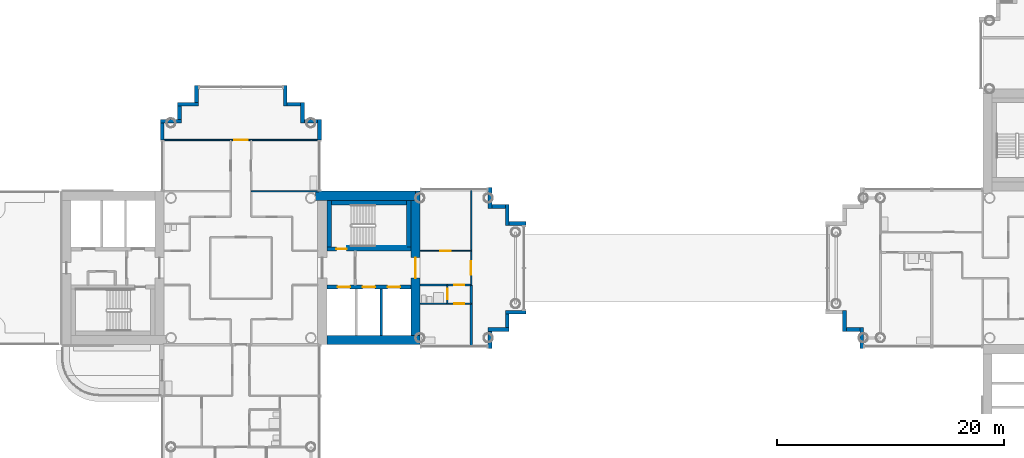
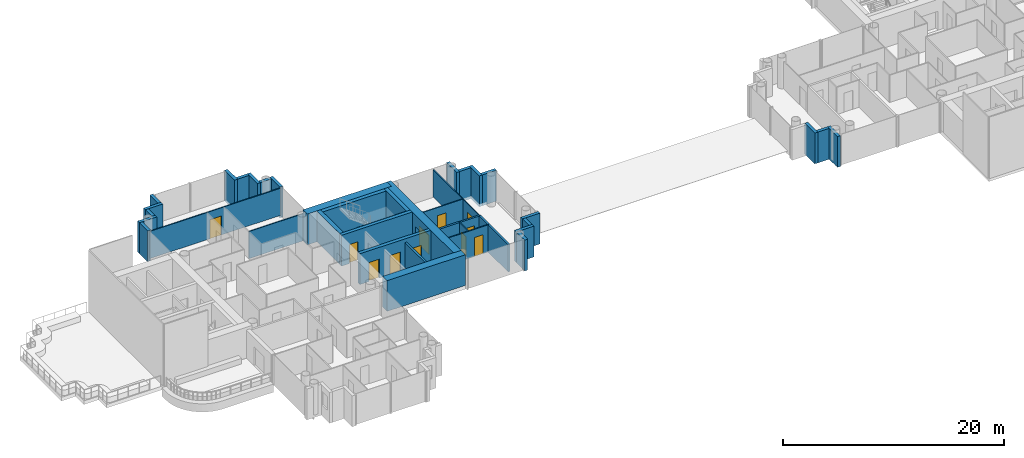
# One storey, part 9 of 19: 39 walls, 11 doors, 11 openings.
"""IFC4 building model written with IfcOpenShell, lengths in metres."""

from ifc_helpers import new_model, si_unit, direction, frame, frame_2d, origin, place, context, subcontext, project, spatial, rectangle, extrude, material, layer, layer_set, type_object, element, fill, save


model = new_model("IFC4")

# Units and contexts
model_context = context("Model", 3, precision=1e-05, world=origin(), true_north=direction((0.0, 1.0)))
body_context = subcontext(model_context, "Body", "Model", "MODEL_VIEW")
ifc_project = project(units=[si_unit("LENGTHUNIT", "METRE"), si_unit("AREAUNIT", "SQUARE_METRE"), si_unit("VOLUMEUNIT", "CUBIC_METRE"), si_unit("PLANEANGLEUNIT", "RADIAN"), si_unit("MASSUNIT", "GRAM", prefix="KILO")], contexts=[model_context])

# Site, building, storey
site_placement = place(None, origin())
site = spatial("IfcSite", under=ifc_project, at=site_placement, CompositionType="ELEMENT")
building_placement = place(site_placement, origin())
building = spatial("IfcBuilding", under=site, at=building_placement, Name="Ipe Terrace Towers", CompositionType="ELEMENT")
storey_placement = place(building_placement, frame((0.0, 0.0, 133.699951171875)))
storey = spatial("IfcBuildingStorey", under=building, at=storey_placement, Name="L36", CompositionType="ELEMENT", Elevation=133.699951171875)

# Walls
ifc_material_1 = material(Name="Concrete C40/50 with buff precast cladding", Category="concrete")
ifc_layer_1 = layer(ifc_material_1, 0.320068359375)
ifc_layer_set_1 = layer_set([ifc_layer_1], Name="BUFF CLADDING WALL 320")
wall_type_1 = type_object("IfcWallType", Name="BUFF CLADDING WALL 320", PredefinedType="STANDARD", material=ifc_layer_set_1)
wall_1_placement = place(storey_placement, frame((-14.090087890625, -7.070068359375, -0.300048828125), z_axis=(0.0, 0.0, 1.0), x_axis=(0.0, 1.0, 0.0)))
element("IfcWall", 1, at=wall_1_placement, inside=storey, type_object=wall_type_1, Name="T1-W-L36-17a wall", PredefinedType="STANDARD", context=body_context, shape_type="SweptSolid", body=[
    extrude(rectangle(XDim=1.5, YDim=0.320068359375, at=frame_2d((0.75, 0.0))), origin(), (0.0, 0.0, 1.0), 3.400146484375),
])
wall_2_placement = place(storey_placement, frame((-14.25, -5.409912109375, -0.300048828125), z_axis=(0.0, 0.0, 1.0), x_axis=(1.0, 0.0, 0.0)))
element("IfcWall", 2, at=wall_2_placement, inside=storey, type_object=wall_type_1, Name="T1-W-L36-18a wall", PredefinedType="STANDARD", context=body_context, shape_type="SweptSolid", body=[
    extrude(rectangle(XDim=1.820068359375, YDim=0.320068359375, at=frame_2d((0.91015625, 0.0))), origin(), (0.0, 0.0, 1.0), 3.400146484375),
])
wall_3_placement = place(storey_placement, frame((-12.590087890625, -5.25, -0.300048828125), z_axis=(0.0, 0.0, 1.0), x_axis=(0.0, 1.0, 0.0)))
element("IfcWall", 3, at=wall_3_placement, inside=storey, type_object=wall_type_1, Name="T1-W-L36-19a wall", PredefinedType="STANDARD", context=body_context, shape_type="SweptSolid", body=[
    extrude(rectangle(XDim=1.179931640625, YDim=0.320068359375, at=frame_2d((0.58984375, 0.0))), origin(), (0.0, 0.0, 1.0), 3.400146484375),
])
wall_4_placement = place(storey_placement, frame((-12.75, -3.909912109375, -0.300048828125), z_axis=(0.0, 0.0, 1.0), x_axis=(1.0, 0.0, 0.0)))
element("IfcWall", 4, at=wall_4_placement, inside=storey, type_object=wall_type_1, Name="T1-W-L36-20a wall", PredefinedType="STANDARD", context=body_context, shape_type="SweptSolid", body=[
    extrude(rectangle(XDim=1.820068359375, YDim=0.320068359375, at=frame_2d((0.91015625, 0.0))), origin(), (0.0, 0.0, 1.0), 3.400146484375),
])
wall_5_placement = place(storey_placement, frame((-10.929931640625, 3.909912109375, -0.300048828125), z_axis=(0.0, 0.0, 1.0), x_axis=(-1.0, 0.0, 0.0)))
element("IfcWall", 5, at=wall_5_placement, inside=storey, type_object=wall_type_1, Name="T1-W-L36-22a wall", PredefinedType="STANDARD", context=body_context, shape_type="SweptSolid", body=[
    extrude(rectangle(XDim=1.5, YDim=0.320068359375, at=frame_2d((0.75, 0.0))), origin(), (0.0, 0.0, 1.0), 3.400146484375),
])
wall_6_placement = place(storey_placement, frame((-12.590087890625, 3.75, -0.300048828125), z_axis=(0.0, 0.0, 1.0), x_axis=(0.0, 1.0, 0.0)))
element("IfcWall", 6, at=wall_6_placement, inside=storey, type_object=wall_type_1, Name="T1-W-L36-23a wall", PredefinedType="STANDARD", context=body_context, shape_type="SweptSolid", body=[
    extrude(rectangle(XDim=1.820068359375, YDim=0.320068359375, at=frame_2d((0.91015625, 0.0))), origin(), (0.0, 0.0, 1.0), 3.400146484375),
])
wall_7_placement = place(storey_placement, frame((-12.75, 5.409912109375, -0.300048828125), z_axis=(0.0, 0.0, 1.0), x_axis=(-1.0, 0.0, 0.0)))
element("IfcWall", 7, at=wall_7_placement, inside=storey, type_object=wall_type_1, Name="T1-W-L36-24a wall", PredefinedType="STANDARD", context=body_context, shape_type="SweptSolid", body=[
    extrude(rectangle(XDim=1.179931640625, YDim=0.320068359375, at=frame_2d((0.58984375, 0.0))), origin(), (0.0, 0.0, 1.0), 3.400146484375),
])
for number, where, z_axis, x_axis, name in (
    (8, (-14.090087890625, 5.25, -0.300048828125), (0.0, 0.0, 1.0), (0.0, 1.0, 0.0), "T1-W-L36-25a wall"),
    (9, (-29.090087890625, 11.25, -0.300048828125), (0.0, 0.0, 1.0), (0.0, 1.0, 0.0), "T1-W-L36-29a wall"),
):
    element("IfcWall", number, at=place(storey_placement, frame(where, z_axis=z_axis, x_axis=x_axis)), inside=storey, type_object=wall_type_1, Name=name, PredefinedType="STANDARD", context=body_context, shape_type="SweptSolid", body=[
        extrude(rectangle(XDim=1.820068359375, YDim=0.320068359375, at=frame_2d((0.91015625, 0.0))), origin(), (0.0, 0.0, 1.0), 3.400146484375),
    ])
wall_8_placement = place(storey_placement, frame((-29.25, 12.909912109375, -0.300048828125), z_axis=(0.0, 0.0, 1.0), x_axis=(-1.0, 0.0, 0.0)))
element("IfcWall", 10, at=wall_8_placement, inside=storey, type_object=wall_type_1, Name="T1-W-L36-30a wall", PredefinedType="STANDARD", context=body_context, shape_type="SweptSolid", body=[
    extrude(rectangle(XDim=1.179931640625, YDim=0.320068359375, at=frame_2d((0.58984375, 0.0))), origin(), (0.0, 0.0, 1.0), 3.400146484375),
])
wall_9_placement = place(storey_placement, frame((-30.590087890625, 12.75, -0.300048828125), z_axis=(0.0, 0.0, 1.0), x_axis=(0.0, 1.0, 0.0)))
element("IfcWall", 11, at=wall_9_placement, inside=storey, type_object=wall_type_1, Name="T1-W-L36-31a wall", PredefinedType="STANDARD", context=body_context, shape_type="SweptSolid", body=[
    extrude(rectangle(XDim=1.820068359375, YDim=0.320068359375, at=frame_2d((0.91015625, 0.0))), origin(), (0.0, 0.0, 1.0), 3.400146484375),
])
wall_10_placement = place(storey_placement, frame((-30.75, 14.409912109375, -0.300048828125), z_axis=(0.0, 0.0, 1.0), x_axis=(-1.0, 0.0, 0.0)))
element("IfcWall", 12, at=wall_10_placement, inside=storey, type_object=wall_type_1, Name="T1-W-L36-32a wall", PredefinedType="STANDARD", context=body_context, shape_type="SweptSolid", body=[
    extrude(rectangle(XDim=1.179931640625, YDim=0.320068359375, at=frame_2d((0.58984375, 0.0))), origin(), (0.0, 0.0, 1.0), 3.400146484375),
])
wall_11_placement = place(storey_placement, frame((-32.090087890625, 14.25, -0.300048828125), z_axis=(0.0, 0.0, 1.0), x_axis=(0.0, 1.0, 0.0)))
element("IfcWall", 13, at=wall_11_placement, inside=storey, type_object=wall_type_1, Name="T1-W-L36-33a wall", PredefinedType="STANDARD", context=body_context, shape_type="SweptSolid", body=[
    extrude(rectangle(XDim=1.820068359375, YDim=0.320068359375, at=frame_2d((0.91015625, 0.0))), origin(), (0.0, 0.0, 1.0), 3.400146484375),
])
wall_12_placement = place(storey_placement, frame((-39.909912109375, 16.070068359375, -0.300048828125), z_axis=(0.0, 0.0, 1.0), x_axis=(0.0, -1.0, 0.0)))
element("IfcWall", 14, at=wall_12_placement, inside=storey, type_object=wall_type_1, Name="T1-W-L36-35a wall", PredefinedType="STANDARD", context=body_context, shape_type="SweptSolid", body=[
    extrude(rectangle(XDim=1.5, YDim=0.320068359375, at=frame_2d((0.75, 0.0))), origin(), (0.0, 0.0, 1.0), 3.400146484375),
])
wall_13_placement = place(storey_placement, frame((-39.75, 14.409912109375, -0.300048828125), z_axis=(0.0, 0.0, 1.0), x_axis=(-1.0, 0.0, 0.0)))
element("IfcWall", 15, at=wall_13_placement, inside=storey, type_object=wall_type_1, Name="T1-W-L36-36a wall", PredefinedType="STANDARD", context=body_context, shape_type="SweptSolid", body=[
    extrude(rectangle(XDim=1.820068359375, YDim=0.320068359375, at=frame_2d((0.91015625, 0.0))), origin(), (0.0, 0.0, 1.0), 3.400146484375),
])
wall_14_placement = place(storey_placement, frame((-41.409912109375, 14.25, -0.300048828125), z_axis=(0.0, 0.0, 1.0), x_axis=(0.0, -1.0, 0.0)))
element("IfcWall", 16, at=wall_14_placement, inside=storey, type_object=wall_type_1, Name="T1-W-L36-37a wall", PredefinedType="STANDARD", context=body_context, shape_type="SweptSolid", body=[
    extrude(rectangle(XDim=1.179931640625, YDim=0.320068359375, at=frame_2d((0.58984375, 0.0))), origin(), (0.0, 0.0, 1.0), 3.400146484375),
])
wall_15_placement = place(storey_placement, frame((-41.25, 12.909912109375, -0.300048828125), z_axis=(0.0, 0.0, 1.0), x_axis=(-1.0, 0.0, 0.0)))
element("IfcWall", 17, at=wall_15_placement, inside=storey, type_object=wall_type_1, Name="T1-W-L36-38a wall", PredefinedType="STANDARD", context=body_context, shape_type="SweptSolid", body=[
    extrude(rectangle(XDim=1.820068359375, YDim=0.320068359375, at=frame_2d((0.91015625, 0.0))), origin(), (0.0, 0.0, 1.0), 3.400146484375),
])
wall_16_placement = place(storey_placement, frame((-42.909912109375, 12.75, -0.300048828125), z_axis=(0.0, 0.0, 1.0), x_axis=(0.0, -1.0, 0.0)))
element("IfcWall", 18, at=wall_16_placement, inside=storey, type_object=wall_type_1, Name="T1-W-L36-39a wall", PredefinedType="STANDARD", context=body_context, shape_type="SweptSolid", body=[
    extrude(rectangle(XDim=1.5, YDim=0.320068359375, at=frame_2d((0.75, 0.0))), origin(), (0.0, 0.0, 1.0), 3.400146484375),
])
wall_17_placement = place(storey_placement, frame((17.090087890625, -3.75, -0.300048828125), z_axis=(0.0, 0.0, 1.0), x_axis=(0.0, -1.0, 0.0)))
element("IfcWall", 19, at=wall_17_placement, inside=storey, type_object=wall_type_1, Name="T2-W-L36-36a wall", PredefinedType="STANDARD", context=body_context, shape_type="SweptSolid", body=[
    extrude(rectangle(XDim=1.820068359375, YDim=0.320068359375, at=frame_2d((0.91015625, 0.0))), origin(), (0.0, 0.0, 1.0), 3.400146484375),
])
wall_18_placement = place(storey_placement, frame((17.25, -5.409912109375, -0.300048828125), z_axis=(0.0, 0.0, 1.0), x_axis=(1.0, 0.0, 0.0)))
element("IfcWall", 20, at=wall_18_placement, inside=storey, type_object=wall_type_1, Name="T2-W-L36-37a wall", PredefinedType="STANDARD", context=body_context, shape_type="SweptSolid", body=[
    extrude(rectangle(XDim=1.179931640625, YDim=0.320068359375, at=frame_2d((0.58984375, 0.0))), origin(), (0.0, 0.0, 1.0), 3.400146484375),
])
wall_19_placement = place(storey_placement, frame((18.590087890625, -5.25, -0.300048828125), z_axis=(0.0, 0.0, 1.0), x_axis=(0.0, -1.0, 0.0)))
element("IfcWall", 21, at=wall_19_placement, inside=storey, type_object=wall_type_1, Name="T2-W-L36-38a wall", PredefinedType="STANDARD", context=body_context, shape_type="SweptSolid", body=[
    extrude(rectangle(XDim=1.820068359375, YDim=0.320068359375, at=frame_2d((0.91015625, 0.0))), origin(), (0.0, 0.0, 1.0), 3.400146484375),
])

# Wall, opening, door
ifc_material_2 = material(Name="Gypsum board partition", Category="plasterboard")
ifc_layer_2 = layer(ifc_material_2, 0.10009765625)
ifc_layer_set_2 = layer_set([ifc_layer_2], Name="Gypsum board partition 100 mm")
wall_type_2 = type_object("IfcWallType", Name="Gypsum board partition 100 mm", PredefinedType="PARTITIONING", material=ifc_layer_set_2)
wall_20_placement = place(storey_placement, frame((-17.85009765625, -3.14990234375, 0.0), z_axis=(0.0, 0.0, 1.0), x_axis=(0.0, 1.0, 0.0)))
wall_20 = element("IfcWall", 22, at=wall_20_placement, inside=storey, type_object=wall_type_2, Name="Gypsum board partition T1 L36 W18", PredefinedType="PARTITIONING", context=body_context, shape_type="SweptSolid", body=[
    extrude(rectangle(XDim=1.64990234375, YDim=0.10009765625, at=frame_2d((0.824951171875, 0.0))), origin(), (0.0, 0.0, 1.0), 3.0),
])
opening_1_placement = place(wall_20_placement, frame((0.39990234375, 0.0, 0.0)))
opening_1 = element("IfcOpeningElement", 23, at=opening_1_placement, cuts=wall_20, Name="Opening T1-Z3A-23", PredefinedType="OPENING", context=body_context, shape_type="SweptSolid", body=[
    extrude(rectangle(XDim=0.89990234375, YDim=2.10009765625, at=frame_2d((0.449951171875, 1.050048828125))), frame((0.0, 0.06005859375, 0.0), z_axis=(0.0, -1.0, 0.0), x_axis=(1.0, 0.0, 0.0)), (0.0, 0.0, 1.0), 0.1201171875),
])
ifc_material_3 = material(Name="Timber door leaf", Category="wood")
door_type_1 = type_object("IfcDoorType", Name="Bathroom door 900 x 2100", OperationType="NOTDEFINED", PredefinedType="DOOR", material=ifc_material_3)
door_1_placement = place(opening_1_placement, origin())
door_1 = element("IfcDoor", 24, at=door_1_placement, inside=storey, type_object=door_type_1, Name="Bathroom door T1-Z3A-23", OperationType="SINGLE_SWING_LEFT", OverallHeight=2.10009765625, OverallWidth=0.89990234375, PredefinedType="DOOR", context=body_context, shape_type="SweptSolid", body=[
    extrude(rectangle(XDim=0.89990234375, YDim=2.10009765625, at=frame_2d((0.449951171875, 1.050048828125))), frame((0.0, 0.02490234375, 0.0), z_axis=(0.0, -1.0, 0.0), x_axis=(1.0, 0.0, 0.0)), (0.0, 0.0, 1.0), 0.050048828125),
])
fill(opening_1, door_1)

wall_21_placement = place(storey_placement, frame((-15.75, -1.5, 0.0), z_axis=(0.0, 0.0, 1.0), x_axis=(0.0, 1.0, 0.0)))
wall_21 = element("IfcWall", 25, at=wall_21_placement, inside=storey, type_object=wall_type_2, Name="Gypsum board partition T1 L36 W19", PredefinedType="PARTITIONING", context=body_context, shape_type="SweptSolid", body=[
    extrude(rectangle(XDim=8.35009765625, YDim=0.10009765625, at=frame_2d((4.175048828125, 0.0))), origin(), (0.0, 0.0, 1.0), 3.0),
])
opening_2_placement = place(wall_21_placement, frame((0.89990234375, 0.0, 0.0)))
opening_2 = element("IfcOpeningElement", 26, at=opening_2_placement, cuts=wall_21, Name="Opening T1-Z3A-24", PredefinedType="OPENING", context=body_context, shape_type="SweptSolid", body=[
    extrude(rectangle(XDim=1.199951171875, YDim=2.10009765625, at=frame_2d((0.60009765625, 1.050048828125))), frame((0.0, 0.06005859375, 0.0), z_axis=(0.0, -1.0, 0.0), x_axis=(1.0, 0.0, 0.0)), (0.0, 0.0, 1.0), 0.1201171875),
])
ifc_material_4 = material(Name="Timber door leaf", Category="wood")
door_type_2 = type_object("IfcDoorType", Name="Lounge door 1200 x 2100", OperationType="NOTDEFINED", PredefinedType="DOOR", material=ifc_material_4)
door_2_placement = place(opening_2_placement, origin())
door_2 = element("IfcDoor", 27, at=door_2_placement, inside=storey, type_object=door_type_2, Name="Lounge door T1-Z3A-24", OperationType="SINGLE_SWING_LEFT", OverallHeight=2.10009765625, OverallWidth=1.199951171875, PredefinedType="DOOR", context=body_context, shape_type="SweptSolid", body=[
    extrude(rectangle(XDim=1.199951171875, YDim=2.10009765625, at=frame_2d((0.60009765625, 1.050048828125))), frame((0.0, 0.02490234375, 0.0), z_axis=(0.0, -1.0, 0.0), x_axis=(1.0, 0.0, 0.0)), (0.0, 0.0, 1.0), 0.050048828125),
])
fill(opening_2, door_2)

wall_22_placement = place(storey_placement, frame((-20.25, -3.14990234375, 0.0), z_axis=(0.0, 0.0, 1.0), x_axis=(1.0, 0.0, 0.0)))
wall_22 = element("IfcWall", 28, at=wall_22_placement, inside=storey, type_object=wall_type_2, Name="Gypsum board partition T1 L36 W29", PredefinedType="PARTITIONING", context=body_context, shape_type="SweptSolid", body=[
    extrude(rectangle(XDim=4.5, YDim=0.10009765625, at=frame_2d((2.25, 0.0))), origin(), (0.0, 0.0, 1.0), 3.0),
])
opening_3_placement = place(wall_22_placement, frame((3.0, 0.0, 0.0)))
opening_3 = element("IfcOpeningElement", 29, at=opening_3_placement, cuts=wall_22, Name="Opening T1-Z3A-22", PredefinedType="OPENING", context=body_context, shape_type="SweptSolid", body=[
    extrude(rectangle(XDim=0.89990234375, YDim=2.10009765625, at=frame_2d((0.449951171875, 1.050048828125))), frame((0.0, 0.06005859375, 0.0), z_axis=(0.0, -1.0, 0.0), x_axis=(1.0, 0.0, 0.0)), (0.0, 0.0, 1.0), 0.1201171875),
])
ifc_material_5 = material(Name="Timber door leaf", Category="wood")
door_type_3 = type_object("IfcDoorType", Name="Bedroom door 900 x 2100", OperationType="NOTDEFINED", PredefinedType="DOOR", material=ifc_material_5)
door_3_placement = place(opening_3_placement, origin())
door_3 = element("IfcDoor", 30, at=door_3_placement, inside=storey, type_object=door_type_3, Name="Bedroom door T1-Z3A-22", OperationType="SINGLE_SWING_RIGHT", OverallHeight=2.10009765625, OverallWidth=0.89990234375, PredefinedType="DOOR", context=body_context, shape_type="SweptSolid", body=[
    extrude(rectangle(XDim=0.89990234375, YDim=2.10009765625, at=frame_2d((0.449951171875, 1.050048828125))), frame((0.0, 0.02490234375, 0.0), z_axis=(0.0, -1.0, 0.0), x_axis=(1.0, 0.0, 0.0)), (0.0, 0.0, 1.0), 0.050048828125),
])
fill(opening_3, door_3)

wall_23_placement = place(storey_placement, frame((-20.25, 1.5, 0.0), z_axis=(0.0, 0.0, 1.0), x_axis=(1.0, 0.0, 0.0)))
wall_23 = element("IfcWall", 31, at=wall_23_placement, inside=storey, type_object=wall_type_2, Name="Gypsum board partition T1 L36 W36", PredefinedType="PARTITIONING", context=body_context, shape_type="SweptSolid", body=[
    extrude(rectangle(XDim=4.5, YDim=0.10009765625, at=frame_2d((2.25, 0.0))), origin(), (0.0, 0.0, 1.0), 3.0),
])
opening_4_placement = place(wall_23_placement, frame((1.800048828125, 0.0, 0.0)))
opening_4 = element("IfcOpeningElement", 32, at=opening_4_placement, cuts=wall_23, Name="Opening T1-Z3A-20", PredefinedType="OPENING", context=body_context, shape_type="SweptSolid", body=[
    extrude(rectangle(XDim=0.89990234375, YDim=2.10009765625, at=frame_2d((0.449951171875, 1.050048828125))), frame((0.0, 0.06005859375, 0.0), z_axis=(0.0, -1.0, 0.0), x_axis=(1.0, 0.0, 0.0)), (0.0, 0.0, 1.0), 0.1201171875),
])
ifc_material_6 = material(Name="Timber door leaf", Category="wood")
door_type_4 = type_object("IfcDoorType", Name="Lounge door 900 x 2100", OperationType="NOTDEFINED", PredefinedType="DOOR", material=ifc_material_6)
door_4_placement = place(opening_4_placement, origin())
door_4 = element("IfcDoor", 33, at=door_4_placement, inside=storey, type_object=door_type_4, Name="Lounge door T1-Z3A-20", OperationType="SINGLE_SWING_LEFT", OverallHeight=2.10009765625, OverallWidth=0.89990234375, PredefinedType="DOOR", context=body_context, shape_type="SweptSolid", body=[
    extrude(rectangle(XDim=0.89990234375, YDim=2.10009765625, at=frame_2d((0.449951171875, 1.050048828125))), frame((0.0, 0.02490234375, 0.0), z_axis=(0.0, -1.0, 0.0), x_axis=(1.0, 0.0, 0.0)), (0.0, 0.0, 1.0), 0.050048828125),
])
fill(opening_4, door_4)

# Wall
wall_24_placement = place(storey_placement, frame((-35.10009765625, 6.75, 0.0), z_axis=(0.0, 0.0, 1.0), x_axis=(1.0, 0.0, 0.0)))
element("IfcWall", 34, at=wall_24_placement, inside=storey, type_object=wall_type_2, Name="Gypsum board partition T1 L36 W42", PredefinedType="PARTITIONING", context=body_context, shape_type="SweptSolid", body=[
    extrude(rectangle(XDim=5.9501953125, YDim=0.10009765625, at=frame_2d((2.97509765625, 0.0))), origin(), (0.0, 0.0, 1.0), 3.0),
])

# Wall, opening, door
wall_25_placement = place(storey_placement, frame((-42.85009765625, 11.25, 0.0), z_axis=(0.0, 0.0, 1.0), x_axis=(1.0, 0.0, 0.0)))
wall_25 = element("IfcWall", 35, at=wall_25_placement, inside=storey, type_object=wall_type_2, Name="Gypsum board partition T1 L36 W43", PredefinedType="PARTITIONING", context=body_context, shape_type="SweptSolid", body=[
    extrude(rectangle(XDim=13.7001953125, YDim=0.10009765625, at=frame_2d((6.85009765625, 0.0))), origin(), (0.0, 0.0, 1.0), 3.0),
])
opening_5_placement = place(wall_25_placement, frame((6.25, 0.0, 0.0)))
opening_5 = element("IfcOpeningElement", 36, at=opening_5_placement, cuts=wall_25, Name="Opening T1-Z3A-09", PredefinedType="OPENING", context=body_context, shape_type="SweptSolid", body=[
    extrude(rectangle(XDim=1.199951171875, YDim=2.10009765625, at=frame_2d((0.60009765625, 1.050048828125))), frame((0.0, 0.06005859375, 0.0), z_axis=(0.0, -1.0, 0.0), x_axis=(1.0, 0.0, 0.0)), (0.0, 0.0, 1.0), 0.1201171875),
])
door_5_placement = place(opening_5_placement, origin())
door_5 = element("IfcDoor", 37, at=door_5_placement, inside=storey, type_object=door_type_2, Name="Lounge door T1-Z3A-09", OperationType="SINGLE_SWING_LEFT", OverallHeight=2.10009765625, OverallWidth=1.199951171875, PredefinedType="DOOR", context=body_context, shape_type="SweptSolid", body=[
    extrude(rectangle(XDim=1.199951171875, YDim=2.10009765625, at=frame_2d((0.60009765625, 1.050048828125))), frame((0.0, 0.02490234375, 0.0), z_axis=(0.0, -1.0, 0.0), x_axis=(1.0, 0.0, 0.0)), (0.0, 0.0, 1.0), 0.050048828125),
])
fill(opening_5, door_5)

# Walls
ifc_material_7 = material(Name="Gypsum board party wall", Category="plasterboard")
ifc_layer_3 = layer(ifc_material_7, 0.199951171875)
ifc_layer_set_3 = layer_set([ifc_layer_3], Name="Gypsum board party wall 200 mm")
wall_type_3 = type_object("IfcWallType", Name="Gypsum board party wall 200 mm", PredefinedType="SOLIDWALL", material=ifc_layer_set_3)
wall_26_placement = place(storey_placement, frame((-23.64990234375, -5.949951171875, 0.0), z_axis=(0.0, 0.0, 1.0), x_axis=(0.0, 1.0, 0.0)))
element("IfcWall", 38, at=wall_26_placement, inside=storey, type_object=wall_type_3, Name="Gypsum board party wall T1 L36 t1c1-shaft-div2", PredefinedType="SOLIDWALL", context=body_context, shape_type="SweptSolid", body=[
    extrude(rectangle(XDim=4.099853515625, YDim=0.199951171875, at=frame_2d((2.0498046875, 0.0))), origin(), (0.0, 0.0, 1.0), 3.0),
])
wall_27_placement = place(storey_placement, frame((-15.75, -6.85009765625, 0.0), z_axis=(0.0, 0.0, 1.0), x_axis=(0.0, 1.0, 0.0)))
element("IfcWall", 39, at=wall_27_placement, inside=storey, type_object=wall_type_3, Name="Gypsum board party wall T1 L36 W20", PredefinedType="SOLIDWALL", context=body_context, shape_type="SweptSolid", body=[
    extrude(rectangle(XDim=5.35009765625, YDim=0.199951171875, at=frame_2d((2.675048828125, 0.0))), origin(), (0.0, 0.0, 1.0), 3.0),
])

# Wall, opening, door
wall_28_placement = place(storey_placement, frame((-20.25, -1.5, 0.0), z_axis=(0.0, 0.0, 1.0), x_axis=(1.0, 0.0, 0.0)))
wall_28 = element("IfcWall", 40, at=wall_28_placement, inside=storey, type_object=wall_type_3, Name="Gypsum board party wall T1 L36 W33", PredefinedType="SOLIDWALL", context=body_context, shape_type="SweptSolid", body=[
    extrude(rectangle(XDim=4.5, YDim=0.199951171875, at=frame_2d((2.25, 0.0))), origin(), (0.0, 0.0, 1.0), 3.0),
])
opening_6_placement = place(wall_28_placement, frame((3.0, 0.0, 0.0)))
opening_6 = element("IfcOpeningElement", 41, at=opening_6_placement, cuts=wall_28, Name="Opening T1-Z3A-21", PredefinedType="OPENING", context=body_context, shape_type="SweptSolid", body=[
    extrude(rectangle(XDim=0.89990234375, YDim=2.10009765625, at=frame_2d((0.449951171875, 1.050048828125))), frame((0.0, 0.10986328125, 0.0), z_axis=(0.0, -1.0, 0.0), x_axis=(1.0, 0.0, 0.0)), (0.0, 0.0, 1.0), 0.219970703125),
])
ifc_material_8 = material(Name="Fire-rated timber door leaf", Category="wood")
door_type_5 = type_object("IfcDoorType", Name="Flat entrance door 900 x 2100 FD30S", OperationType="NOTDEFINED", PredefinedType="DOOR", material=ifc_material_8)
door_6_placement = place(opening_6_placement, origin())
door_6 = element("IfcDoor", 42, at=door_6_placement, inside=storey, type_object=door_type_5, Name="Flat entrance door T1-Z3A-21", OperationType="SINGLE_SWING_RIGHT", OverallHeight=2.10009765625, OverallWidth=0.89990234375, PredefinedType="DOOR", context=body_context, shape_type="SweptSolid", body=[
    extrude(rectangle(XDim=0.89990234375, YDim=2.10009765625, at=frame_2d((0.449951171875, 1.050048828125))), frame((0.0, 0.02490234375, 0.0), z_axis=(0.0, -1.0, 0.0), x_axis=(1.0, 0.0, 0.0)), (0.0, 0.0, 1.0), 0.050048828125),
])
fill(opening_6, door_6)

# Wall, openings, doors
ifc_material_9 = material(Name="Concrete C50/60", Category="concrete")
ifc_layer_4 = layer(ifc_material_9, 0.35009765625)
ifc_layer_set_4 = layer_set([ifc_layer_4], Name="RW350 CORE SPINE WALL 350 C50-60")
wall_type_4 = type_object("IfcWallType", Name="RW350 CORE SPINE WALL 350 C50-60", PredefinedType="SHEAR", material=ifc_layer_set_4)
wall_29_placement = place(storey_placement, frame((-28.449951171875, -1.675048828125, 0.0), z_axis=(0.0, 0.0, 1.0), x_axis=(1.0, 0.0, 0.0)))
wall_29 = element("IfcWall", 43, at=wall_29_placement, inside=storey, type_object=wall_type_4, Name="Core spine wall T1-C1-Z3-SW1", PredefinedType="SHEAR", context=body_context, shape_type="SweptSolid", body=[
    extrude(rectangle(XDim=7.39990234375, YDim=0.35009765625, at=frame_2d((3.699951171875, 0.0))), origin(), (0.0, 0.0, 1.0), 3.400146484375),
])
opening_7_placement = place(wall_29_placement, frame((0.949951171875, 0.0, 0.0)))
opening_7 = element("IfcOpeningElement", 44, at=opening_7_placement, cuts=wall_29, Name="Opening T1C1-LD1", PredefinedType="OPENING", context=body_context, shape_type="SweptSolid", body=[
    extrude(rectangle(XDim=1.10009765625, YDim=2.10009765625, at=frame_2d((0.550048828125, 1.050048828125))), frame((0.0, 0.18505859375, 0.0), z_axis=(0.0, -1.0, 0.0), x_axis=(1.0, 0.0, 0.0)), (0.0, 0.0, 1.0), 0.3701171875),
])
opening_8_placement = place(wall_29_placement, frame((3.14990234375, 0.0, 0.0)))
opening_8 = element("IfcOpeningElement", 45, at=opening_8_placement, cuts=wall_29, Name="Opening T1C1-LD2", PredefinedType="OPENING", context=body_context, shape_type="SweptSolid", body=[
    extrude(rectangle(XDim=1.10009765625, YDim=2.10009765625, at=frame_2d((0.550048828125, 1.050048828125))), frame((0.0, 0.18505859375, 0.0), z_axis=(0.0, -1.0, 0.0), x_axis=(1.0, 0.0, 0.0)), (0.0, 0.0, 1.0), 0.3701171875),
])
opening_9_placement = place(wall_29_placement, frame((5.35009765625, 0.0, 0.0)))
opening_9 = element("IfcOpeningElement", 46, at=opening_9_placement, cuts=wall_29, Name="Opening T1C1-LD3", PredefinedType="OPENING", context=body_context, shape_type="SweptSolid", body=[
    extrude(rectangle(XDim=1.10009765625, YDim=2.10009765625, at=frame_2d((0.550048828125, 1.050048828125))), frame((0.0, 0.18505859375, 0.0), z_axis=(0.0, -1.0, 0.0), x_axis=(1.0, 0.0, 0.0)), (0.0, 0.0, 1.0), 0.3701171875),
])
ifc_material_10 = material(Name="Fire-rated timber door leaf", Category="wood")
door_type_6 = type_object("IfcDoorType", Name="Sliding door 1100 x 2100 FD60", OperationType="SLIDING_TO_LEFT", PredefinedType="DOOR", material=ifc_material_10)
door_7_placement = place(opening_7_placement, origin())
door_7 = element("IfcDoor", 47, at=door_7_placement, inside=storey, type_object=door_type_6, Name="Sliding door T1C1-LD1", OperationType="SLIDING_TO_LEFT", OverallHeight=2.10009765625, OverallWidth=1.10009765625, PredefinedType="DOOR", context=body_context, shape_type="SweptSolid", body=[
    extrude(rectangle(XDim=1.10009765625, YDim=2.10009765625, at=frame_2d((0.550048828125, 1.050048828125))), frame((0.0, 0.02490234375, 0.0), z_axis=(0.0, -1.0, 0.0), x_axis=(1.0, 0.0, 0.0)), (0.0, 0.0, 1.0), 0.050048828125),
])
fill(opening_7, door_7)
door_8_placement = place(opening_8_placement, origin())
door_8 = element("IfcDoor", 48, at=door_8_placement, inside=storey, type_object=door_type_6, Name="Sliding door T1C1-LD2", OperationType="SLIDING_TO_LEFT", OverallHeight=2.10009765625, OverallWidth=1.10009765625, PredefinedType="DOOR", context=body_context, shape_type="SweptSolid", body=[
    extrude(rectangle(XDim=1.10009765625, YDim=2.10009765625, at=frame_2d((0.550048828125, 1.050048828125))), frame((0.0, 0.02490234375, 0.0), z_axis=(0.0, -1.0, 0.0), x_axis=(1.0, 0.0, 0.0)), (0.0, 0.0, 1.0), 0.050048828125),
])
fill(opening_8, door_8)
door_9_placement = place(opening_9_placement, origin())
door_9 = element("IfcDoor", 49, at=door_9_placement, inside=storey, type_object=door_type_6, Name="Sliding door T1C1-LD3", OperationType="SLIDING_TO_LEFT", OverallHeight=2.10009765625, OverallWidth=1.10009765625, PredefinedType="DOOR", context=body_context, shape_type="SweptSolid", body=[
    extrude(rectangle(XDim=1.10009765625, YDim=2.10009765625, at=frame_2d((0.550048828125, 1.050048828125))), frame((0.0, 0.02490234375, 0.0), z_axis=(0.0, -1.0, 0.0), x_axis=(1.0, 0.0, 0.0)), (0.0, 0.0, 1.0), 0.050048828125),
])
fill(opening_9, door_9)

# Wall, opening, door
wall_30_placement = place(storey_placement, frame((-28.449951171875, 1.675048828125, 0.0), z_axis=(0.0, 0.0, 1.0), x_axis=(1.0, 0.0, 0.0)))
wall_30 = element("IfcWall", 50, at=wall_30_placement, inside=storey, type_object=wall_type_4, Name="Core spine wall T1-C1-Z3-SW2", PredefinedType="SHEAR", context=body_context, shape_type="SweptSolid", body=[
    extrude(rectangle(XDim=7.39990234375, YDim=0.35009765625, at=frame_2d((3.699951171875, 0.0))), origin(), (0.0, 0.0, 1.0), 3.400146484375),
])
opening_10_placement = place(wall_30_placement, frame((0.85009765625, 0.0, 0.0)))
opening_10 = element("IfcOpeningElement", 51, at=opening_10_placement, cuts=wall_30, Name="Opening T1C1-SD", PredefinedType="OPENING", context=body_context, shape_type="SweptSolid", body=[
    extrude(rectangle(XDim=0.89990234375, YDim=2.10009765625, at=frame_2d((0.449951171875, 1.050048828125))), frame((0.0, 0.18505859375, 0.0), z_axis=(0.0, -1.0, 0.0), x_axis=(1.0, 0.0, 0.0)), (0.0, 0.0, 1.0), 0.3701171875),
])
ifc_material_11 = material(Name="Fire-rated timber door leaf", Category="wood")
door_type_7 = type_object("IfcDoorType", Name="Stair door 900 x 2100 FD60", OperationType="NOTDEFINED", PredefinedType="DOOR", material=ifc_material_11)
door_10_placement = place(opening_10_placement, origin())
door_10 = element("IfcDoor", 52, at=door_10_placement, inside=storey, type_object=door_type_7, Name="Stair door T1C1-SD", OperationType="SINGLE_SWING_LEFT", OverallHeight=2.10009765625, OverallWidth=0.89990234375, PredefinedType="DOOR", context=body_context, shape_type="SweptSolid", body=[
    extrude(rectangle(XDim=0.89990234375, YDim=2.10009765625, at=frame_2d((0.449951171875, 1.050048828125))), frame((0.0, 0.02490234375, 0.0), z_axis=(0.0, -1.0, 0.0), x_axis=(1.0, 0.0, 0.0)), (0.0, 0.0, 1.0), 0.050048828125),
])
fill(opening_10, door_10)

# Walls
ifc_material_12 = material(Name="Concrete C50/60", Category="concrete")
ifc_layer_5 = layer(ifc_material_12, 0.39990234375)
ifc_layer_set_5 = layer_set([ifc_layer_5], Name="RW400 CORE INFILL WALL 400 C50-60")
wall_type_5 = type_object("IfcWallType", Name="RW400 CORE INFILL WALL 400 C50-60", PredefinedType="SHEAR", material=ifc_layer_set_5)
wall_31_placement = place(storey_placement, frame((-21.25, 1.85009765625, 0.0), z_axis=(0.0, 0.0, 1.0), x_axis=(0.0, 1.0, 0.0)))
element("IfcWall", 53, at=wall_31_placement, inside=storey, type_object=wall_type_5, Name="Core infill wall T1-C1-far", PredefinedType="SHEAR", context=body_context, shape_type="SweptSolid", body=[
    extrude(rectangle(XDim=4.099853515625, YDim=0.39990234375, at=frame_2d((2.0498046875, 0.0))), origin(), (0.0, 0.0, 1.0), 3.400146484375),
])
wall_32_placement = place(storey_placement, frame((-28.050048828125, 5.75, 0.0), z_axis=(0.0, 0.0, 1.0), x_axis=(1.0, 0.0, 0.0)))
element("IfcWall", 54, at=wall_32_placement, inside=storey, type_object=wall_type_5, Name="Core infill wall T1-C1-back", PredefinedType="SHEAR", context=body_context, shape_type="SweptSolid", body=[
    extrude(rectangle(XDim=6.60009765625, YDim=0.39990234375, at=frame_2d((3.300048828125, 0.0))), origin(), (0.0, 0.0, 1.0), 3.400146484375),
])
wall_33_placement = place(storey_placement, frame((-28.25, 1.85009765625, 0.0), z_axis=(0.0, 0.0, 1.0), x_axis=(0.0, 1.0, 0.0)))
element("IfcWall", 55, at=wall_33_placement, inside=storey, type_object=wall_type_5, Name="Core infill wall T1-C1-near", PredefinedType="SHEAR", context=body_context, shape_type="SweptSolid", body=[
    extrude(rectangle(XDim=4.099853515625, YDim=0.39990234375, at=frame_2d((2.0498046875, 0.0))), origin(), (0.0, 0.0, 1.0), 3.400146484375),
])
ifc_material_13 = material(Name="Concrete C50/60", Category="concrete")
ifc_layer_6 = layer(ifc_material_13, 0.050048828125)
ifc_layer_set_6 = layer_set([ifc_layer_6], Name="RW50 CORE INFILL WALL 50 C50-60")
wall_type_6 = type_object("IfcWallType", Name="RW50 CORE INFILL WALL 50 C50-60", PredefinedType="SHEAR", material=ifc_layer_set_6)
wall_34_placement = place(storey_placement, frame((-26.64990234375, 1.875, 0.0), z_axis=(0.0, 0.0, 1.0), x_axis=(1.0, 0.0, 0.0)))
element("IfcWall", 56, at=wall_34_placement, inside=storey, type_object=wall_type_6, Name="Core infill wall T1-C1-spine-b", PredefinedType="SHEAR", context=body_context, shape_type="SweptSolid", body=[
    extrude(rectangle(XDim=5.199951171875, YDim=0.050048828125, at=frame_2d((2.60009765625, 0.0))), origin(), (0.0, 0.0, 1.0), 3.400146484375),
])
ifc_material_14 = material(Name="Concrete C50/60", Category="concrete")
ifc_layer_7 = layer(ifc_material_14, 0.800048828125)
ifc_layer_set_7 = layer_set([ifc_layer_7], Name="RW800 CORE WALL 800 C50-60")
wall_type_7 = type_object("IfcWallType", Name="RW800 CORE WALL 800 C50-60", PredefinedType="SHEAR", material=ifc_layer_set_7)
wall_35_placement = place(storey_placement, frame((-28.449951171875, -6.35009765625, 0.0), z_axis=(0.0, 0.0, 1.0), x_axis=(1.0, 0.0, 0.0)))
element("IfcWall", 57, at=wall_35_placement, inside=storey, type_object=wall_type_7, Name="Core wall T1-C1-Z3-W01", PredefinedType="SHEAR", context=body_context, shape_type="SweptSolid", body=[
    extrude(rectangle(XDim=8.199951171875, YDim=0.800048828125, at=frame_2d((4.10009765625, 0.0))), origin(), (0.0, 0.0, 1.0), 3.400146484375),
])

# Wall, opening, door
wall_36_placement = place(storey_placement, frame((-20.64990234375, -5.949951171875, 0.0), z_axis=(0.0, 0.0, 1.0), x_axis=(0.0, 1.0, 0.0)))
wall_36 = element("IfcWall", 58, at=wall_36_placement, inside=storey, type_object=wall_type_7, Name="Core wall T1-C1-Z3-W02", PredefinedType="SHEAR", context=body_context, shape_type="SweptSolid", body=[
    extrude(rectangle(XDim=12.699951171875, YDim=0.800048828125, at=frame_2d((6.35009765625, 0.0))), origin(), (0.0, 0.0, 1.0), 3.400146484375),
])
opening_11_placement = place(wall_36_placement, frame((5.050048828125, 0.0, 0.0)))
opening_11 = element("IfcOpeningElement", 59, at=opening_11_placement, cuts=wall_36, Name="Opening T1C1-FD", PredefinedType="OPENING", context=body_context, shape_type="SweptSolid", body=[
    extrude(rectangle(XDim=1.800048828125, YDim=2.10009765625, at=frame_2d((0.89990234375, 1.050048828125))), frame((0.0, 0.41015625, 0.0), z_axis=(0.0, -1.0, 0.0), x_axis=(1.0, 0.0, 0.0)), (0.0, 0.0, 1.0), 0.820068359375),
])
ifc_material_15 = material(Name="Fire-rated timber door leaf", Category="wood")
door_type_8 = type_object("IfcDoorType", Name="Fire door 1800 x 2100 FD30S", OperationType="NOTDEFINED", PredefinedType="DOOR", material=ifc_material_15)
door_11_placement = place(opening_11_placement, origin())
door_11 = element("IfcDoor", 60, at=door_11_placement, inside=storey, type_object=door_type_8, Name="Fire door T1C1-FD", OperationType="SINGLE_SWING_LEFT", OverallHeight=2.10009765625, OverallWidth=1.800048828125, PredefinedType="DOOR", context=body_context, shape_type="SweptSolid", body=[
    extrude(rectangle(XDim=1.800048828125, YDim=2.10009765625, at=frame_2d((0.89990234375, 1.050048828125))), frame((0.0, 0.02490234375, 0.0), z_axis=(0.0, -1.0, 0.0), x_axis=(1.0, 0.0, 0.0)), (0.0, 0.0, 1.0), 0.050048828125),
])
fill(opening_11, door_11)

# Wall
wall_37_placement = place(storey_placement, frame((-20.652099609375, 6.35009765625, 0.0), z_axis=(0.0, 0.0, 1.0), x_axis=(-1.0, 0.0, 0.0)))
element("IfcWall", 61, at=wall_37_placement, inside=storey, type_object=wall_type_7, Name="Core wall T1-C1-Z3-W03", PredefinedType="SHEAR", context=body_context, shape_type="SweptSolid", body=[
    extrude(rectangle(XDim=8.7958984375, YDim=0.800048828125, at=frame_2d((4.39794921875, 0.0))), origin(), (0.0, 0.0, 1.0), 3.400146484375),
])

save(model, "model.ifc")
